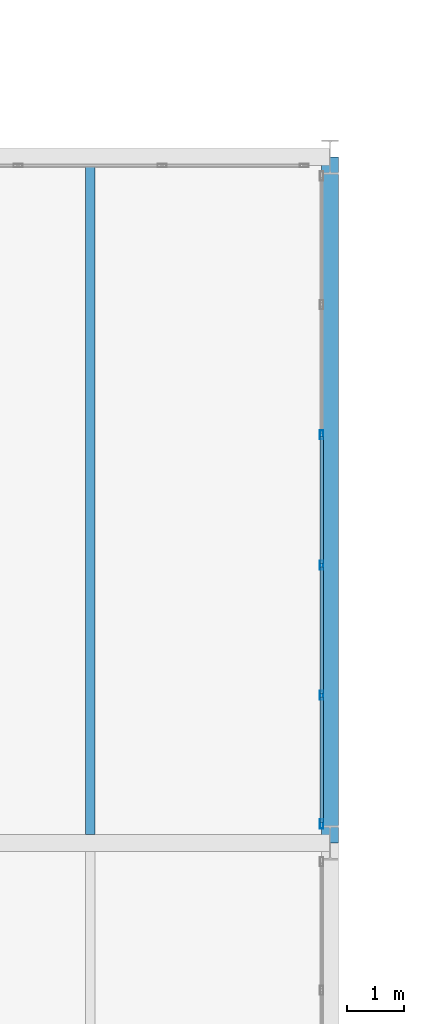
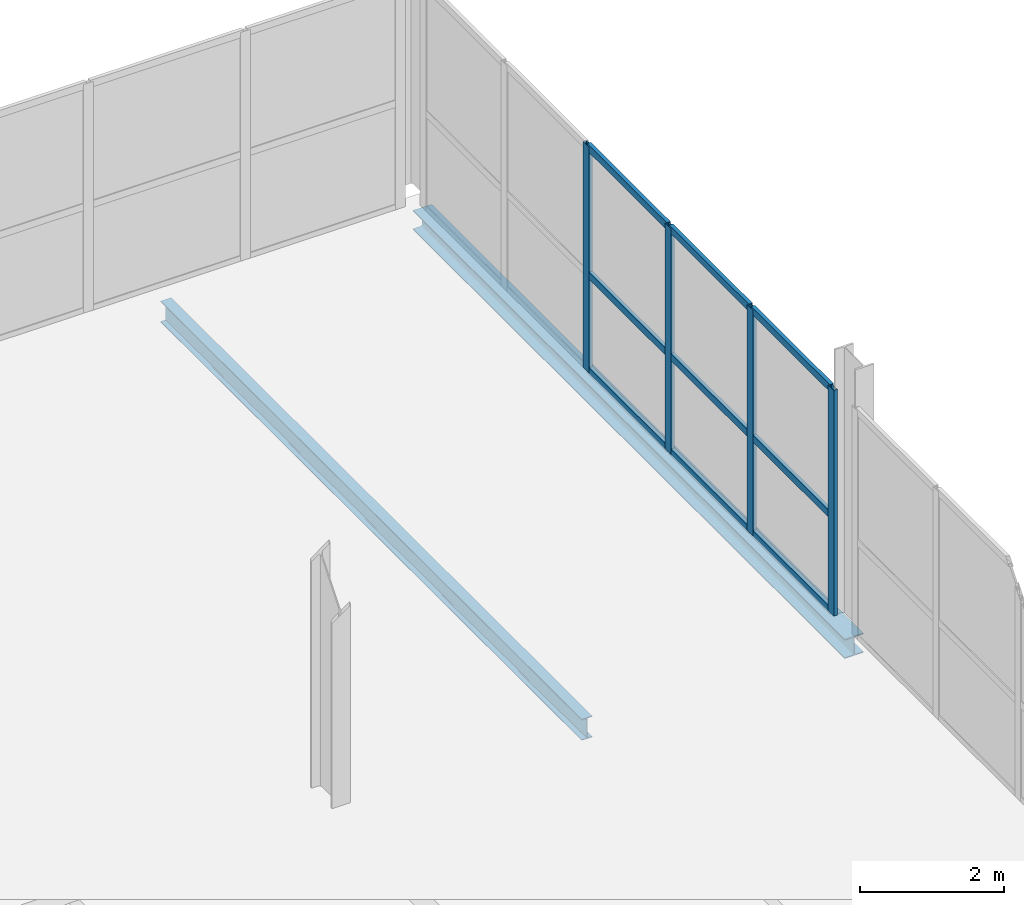
# One storey, part 77 of 130: 13 members, 2 beams, 1 element without a shape of its own.
"""IFC4 building model written with IfcOpenShell, lengths in metres."""

from ifc_helpers import new_model, si_unit, direction, frame, origin, origin_2d, place, context, subcontext, project, spatial, hollow_rectangle, i_section, extrude, material, material_profile, profile_set, type_object, element, aggregate, save


model = new_model("IFC4")

# Units and contexts
model_context = context("Model", 3, precision=1e-05, world=origin(), true_north=direction((0.0, 1.0)))
body_context = subcontext(model_context, "Body", "Model", "MODEL_VIEW")
ifc_project = project(units=[si_unit("LENGTHUNIT", "METRE"), si_unit("AREAUNIT", "SQUARE_METRE"), si_unit("VOLUMEUNIT", "CUBIC_METRE"), si_unit("PLANEANGLEUNIT", "RADIAN"), si_unit("MASSUNIT", "GRAM", prefix="KILO")], contexts=[model_context])

# Site, building, storey
site_placement = place(None, origin())
site = spatial("IfcSite", under=ifc_project, at=site_placement, CompositionType="ELEMENT")
building_placement = place(site_placement, origin())
building = spatial("IfcBuilding", under=site, at=building_placement, Name="Veltarok Museum of Natural Sciences", CompositionType="ELEMENT")
storey_placement = place(building_placement, frame((0.0, 0.0, 12.89990234375)))
storey = spatial("IfcBuildingStorey", under=building, at=storey_placement, Name="L02", CompositionType="ELEMENT", Elevation=12.89990234375)

# Curtain wall, members
ifc_material_1 = material(Name="Low-iron triple insulated glass", Category="glass")
curtain_wall_type = type_object("IfcCurtainWallType", Name="Curtain Wall System CW-V2E-L02-1-1140x383 (CW-V2E L02 1140x383cm)", PredefinedType="NOTDEFINED", material=ifc_material_1)
curtain_wall_placement = place(storey_placement, origin())
curtain_wall = element("IfcCurtainWall", 1, at=curtain_wall_placement, inside=storey, type_object=curtain_wall_type, Name="Curtain Wall CW-V2E-L02-1-1140x383 CW-0133", PredefinedType="NOTDEFINED")
ifc_material_2 = material(Name="Thermally broken anodised aluminium", Category="aluminium")
ifc_material_profile_1 = material_profile(ifc_material_2, hollow_rectangle(XDim=0.06005859375, YDim=0.1201171875, WallThickness=0.0048828125, at=origin_2d()), Name="CW TRANSOM 60x120x5")
ifc_profile_set_1 = profile_set([ifc_material_profile_1], Name="Thermally broken anodised aluminium")
member_type_1 = type_object("IfcMemberType", Name="Curtain Wall Horizontal Transom 60x120x5", PredefinedType="USERDEFINED", material=ifc_profile_set_1)
member_1_placement = place(storey_placement, frame((98.64990234375, 60.360107421875, 0.028076171875), z_axis=(0.0, 1.0, 0.0), x_axis=(-1.0, 0.0, 0.0)))
member_1 = element("IfcMember", 2, at=member_1_placement, type_object=member_type_1, Name="CW-V2E-L02-1-1140x383 transom 1.1", ObjectType="TRANSOM", PredefinedType="USERDEFINED", context=body_context, shape_type="SweptSolid", body=[
    extrude(hollow_rectangle(XDim=0.06005859375, YDim=0.1201171875, WallThickness=0.0048828125, at=origin_2d()), origin(), (0.0, 0.0, 1.0), 2.18994140625),
])
member_2_placement = place(storey_placement, frame((98.64990234375, 60.360107421875, 1.648193359375), z_axis=(0.0, 1.0, 0.0), x_axis=(-1.0, 0.0, 0.0)))
member_2 = element("IfcMember", 3, at=member_2_placement, type_object=member_type_1, Name="CW-V2E-L02-1-1140x383 transom 1.2", ObjectType="TRANSOM", PredefinedType="USERDEFINED", context=body_context, shape_type="SweptSolid", body=[
    extrude(hollow_rectangle(XDim=0.06005859375, YDim=0.1201171875, WallThickness=0.0048828125, at=origin_2d()), origin(), (0.0, 0.0, 1.0), 2.18994140625),
])
member_3_placement = place(storey_placement, frame((98.64990234375, 60.360107421875, 3.800048828125), z_axis=(0.0, 1.0, 0.0), x_axis=(-1.0, 0.0, 0.0)))
member_3 = element("IfcMember", 4, at=member_3_placement, type_object=member_type_1, Name="CW-V2E-L02-1-1140x383 transom 1.3", ObjectType="TRANSOM", PredefinedType="USERDEFINED", context=body_context, shape_type="SweptSolid", body=[
    extrude(hollow_rectangle(XDim=0.06005859375, YDim=0.1201171875, WallThickness=0.0048828125, at=origin_2d()), origin(), (0.0, 0.0, 1.0), 2.18994140625),
])
member_4_placement = place(storey_placement, frame((98.64990234375, 62.610107421875, 0.028076171875), z_axis=(0.0, 1.0, 0.0), x_axis=(-1.0, 0.0, 0.0)))
member_4 = element("IfcMember", 5, at=member_4_placement, type_object=member_type_1, Name="CW-V2E-L02-1-1140x383 transom 2.1", ObjectType="TRANSOM", PredefinedType="USERDEFINED", context=body_context, shape_type="SweptSolid", body=[
    extrude(hollow_rectangle(XDim=0.06005859375, YDim=0.1201171875, WallThickness=0.0048828125, at=origin_2d()), origin(), (0.0, 0.0, 1.0), 2.219970703125),
])
member_5_placement = place(storey_placement, frame((98.64990234375, 62.610107421875, 1.648193359375), z_axis=(0.0, 1.0, 0.0), x_axis=(-1.0, 0.0, 0.0)))
member_5 = element("IfcMember", 6, at=member_5_placement, type_object=member_type_1, Name="CW-V2E-L02-1-1140x383 transom 2.2", ObjectType="TRANSOM", PredefinedType="USERDEFINED", context=body_context, shape_type="SweptSolid", body=[
    extrude(hollow_rectangle(XDim=0.06005859375, YDim=0.1201171875, WallThickness=0.0048828125, at=origin_2d()), origin(), (0.0, 0.0, 1.0), 2.219970703125),
])
member_6_placement = place(storey_placement, frame((98.64990234375, 62.610107421875, 3.800048828125), z_axis=(0.0, 1.0, 0.0), x_axis=(-1.0, 0.0, 0.0)))
member_6 = element("IfcMember", 7, at=member_6_placement, type_object=member_type_1, Name="CW-V2E-L02-1-1140x383 transom 2.3", ObjectType="TRANSOM", PredefinedType="USERDEFINED", context=body_context, shape_type="SweptSolid", body=[
    extrude(hollow_rectangle(XDim=0.06005859375, YDim=0.1201171875, WallThickness=0.0048828125, at=origin_2d()), origin(), (0.0, 0.0, 1.0), 2.219970703125),
])
member_7_placement = place(storey_placement, frame((98.64990234375, 64.889892578125, 0.028076171875), z_axis=(0.0, 1.0, 0.0), x_axis=(-1.0, 0.0, 0.0)))
member_7 = element("IfcMember", 8, at=member_7_placement, type_object=member_type_1, Name="CW-V2E-L02-1-1140x383 transom 3.1", ObjectType="TRANSOM", PredefinedType="USERDEFINED", context=body_context, shape_type="SweptSolid", body=[
    extrude(hollow_rectangle(XDim=0.06005859375, YDim=0.1201171875, WallThickness=0.0048828125, at=origin_2d()), origin(), (0.0, 0.0, 1.0), 2.22021484375),
])
member_8_placement = place(storey_placement, frame((98.64990234375, 64.889892578125, 1.648193359375), z_axis=(0.0, 1.0, 0.0), x_axis=(-1.0, 0.0, 0.0)))
member_8 = element("IfcMember", 9, at=member_8_placement, type_object=member_type_1, Name="CW-V2E-L02-1-1140x383 transom 3.2", ObjectType="TRANSOM", PredefinedType="USERDEFINED", context=body_context, shape_type="SweptSolid", body=[
    extrude(hollow_rectangle(XDim=0.06005859375, YDim=0.1201171875, WallThickness=0.0048828125, at=origin_2d()), origin(), (0.0, 0.0, 1.0), 2.22021484375),
])
member_9_placement = place(storey_placement, frame((98.64990234375, 64.889892578125, 3.800048828125), z_axis=(0.0, 1.0, 0.0), x_axis=(-1.0, 0.0, 0.0)))
member_9 = element("IfcMember", 10, at=member_9_placement, type_object=member_type_1, Name="CW-V2E-L02-1-1140x383 transom 3.3", ObjectType="TRANSOM", PredefinedType="USERDEFINED", context=body_context, shape_type="SweptSolid", body=[
    extrude(hollow_rectangle(XDim=0.06005859375, YDim=0.1201171875, WallThickness=0.0048828125, at=origin_2d()), origin(), (0.0, 0.0, 1.0), 2.22021484375),
])
ifc_material_profile_2 = material_profile(ifc_material_2, hollow_rectangle(XDim=0.06005859375, YDim=0.159912109375, WallThickness=0.0048828125, at=origin_2d()), Name="CW MULLION 60x160x5")
ifc_profile_set_2 = profile_set([ifc_material_profile_2], Name="Thermally broken anodised aluminium")
member_type_2 = type_object("IfcMemberType", Name="Curtain Wall Vertical Mullion 60x160x5", PredefinedType="MULLION", material=ifc_profile_set_2)
member_10_placement = place(storey_placement, frame((98.64990234375, 60.330078125, -0.001953125), z_axis=(0.0, 0.0, 1.0), x_axis=(-1.0, 0.0, 0.0)))
member_10 = element("IfcMember", 11, at=member_10_placement, type_object=member_type_2, Name="CW-V2E-L02-1-1140x383 mullion 1", PredefinedType="MULLION", context=body_context, shape_type="SweptSolid", body=[
    extrude(hollow_rectangle(XDim=0.06005859375, YDim=0.159912109375, WallThickness=0.0048828125, at=origin_2d()), origin(), (0.0, 0.0, 1.0), 3.83203125),
])
member_11_placement = place(storey_placement, frame((98.64990234375, 62.580078125, -0.001953125), z_axis=(0.0, 0.0, 1.0), x_axis=(-1.0, 0.0, 0.0)))
member_11 = element("IfcMember", 12, at=member_11_placement, type_object=member_type_2, Name="CW-V2E-L02-1-1140x383 mullion 2", PredefinedType="MULLION", context=body_context, shape_type="SweptSolid", body=[
    extrude(hollow_rectangle(XDim=0.06005859375, YDim=0.159912109375, WallThickness=0.0048828125, at=origin_2d()), origin(), (0.0, 0.0, 1.0), 3.83203125),
])
member_12_placement = place(storey_placement, frame((98.64990234375, 64.860107421875, -0.001953125), z_axis=(0.0, 0.0, 1.0), x_axis=(-1.0, 0.0, 0.0)))
member_12 = element("IfcMember", 13, at=member_12_placement, type_object=member_type_2, Name="CW-V2E-L02-1-1140x383 mullion 3", PredefinedType="MULLION", context=body_context, shape_type="SweptSolid", body=[
    extrude(hollow_rectangle(XDim=0.06005859375, YDim=0.159912109375, WallThickness=0.0048828125, at=origin_2d()), origin(), (0.0, 0.0, 1.0), 3.83203125),
])
member_13_placement = place(storey_placement, frame((98.64990234375, 67.139892578125, -0.001953125), z_axis=(0.0, 0.0, 1.0), x_axis=(-1.0, 0.0, 0.0)))
member_13 = element("IfcMember", 14, at=member_13_placement, type_object=member_type_2, Name="CW-V2E-L02-1-1140x383 mullion 4", PredefinedType="MULLION", context=body_context, shape_type="SweptSolid", body=[
    extrude(hollow_rectangle(XDim=0.06005859375, YDim=0.159912109375, WallThickness=0.0048828125, at=origin_2d()), origin(), (0.0, 0.0, 1.0), 3.83203125),
])
aggregate(curtain_wall, [member_10, member_11, member_12, member_13, member_1, member_2, member_3, member_4, member_5, member_6, member_7, member_8, member_9])

# Beams
ifc_material_3 = material(Name="Steel S355J2", Category="steel")
ifc_material_profile_3 = material_profile(ifc_material_3, i_section(OverallWidth=0.169921875, OverallDepth=0.360107421875, WebThickness=0.008056640625, FlangeThickness=0.0126953125, FilletRadius=0.01806640625, at=origin_2d()), Name="IPE 360")
ifc_profile_set_3 = profile_set([ifc_material_profile_3], Name="Steel S355J2")
beam_type_1 = type_object("IfcBeamType", Name="Long-Bay Composite Joist IPE 360", PredefinedType="JOIST", material=ifc_profile_set_3)
beam_1_placement = place(storey_placement, frame((94.60009765625, 60.14794921875, -0.429931640625), z_axis=(0.0, 1.0, 0.0), x_axis=(-1.0, 0.0, 0.0)))
element("IfcBeam", 15, at=beam_1_placement, inside=storey, type_object=beam_type_1, Name="Secondary Joist BM-J01 L02 11-12/G-H.1", PredefinedType="JOIST", context=body_context, shape_type="SweptSolid", body=[
    extrude(i_section(OverallWidth=0.169921875, OverallDepth=0.360107421875, WebThickness=0.008056640625, FlangeThickness=0.0126953125, FilletRadius=0.01806640625, at=origin_2d()), origin(), (0.0, 0.0, 1.0), 11.7041015625),
])
ifc_material_profile_4 = material_profile(ifc_material_3, i_section(OverallWidth=0.300048828125, OverallDepth=0.330078125, WebThickness=0.009521484375, FlangeThickness=0.0166015625, FilletRadius=0.027099609375, at=origin_2d()), Name="HEA 340")
ifc_profile_set_4 = profile_set([ifc_material_profile_4], Name="Steel S355J2")
beam_type_2 = type_object("IfcBeamType", Name="Perimeter Upper Spandrel HEA 340", PredefinedType="SPANDREL", material=ifc_profile_set_4)
beam_2_placement = place(storey_placement, frame((98.800048828125, 60.0, -0.414794921875), z_axis=(0.0, 1.0, 0.0), x_axis=(-1.0, 0.0, 0.0)))
element("IfcBeam", 16, at=beam_2_placement, inside=storey, type_object=beam_type_2, Name="Beam BM-SP05 L02 12/G-H", PredefinedType="SPANDREL", context=body_context, shape_type="SweptSolid", body=[
    extrude(i_section(OverallWidth=0.300048828125, OverallDepth=0.330078125, WebThickness=0.009521484375, FlangeThickness=0.0166015625, FilletRadius=0.027099609375, at=origin_2d()), origin(), (0.0, 0.0, 1.0), 12.0),
])

save(model, "model.ifc")
